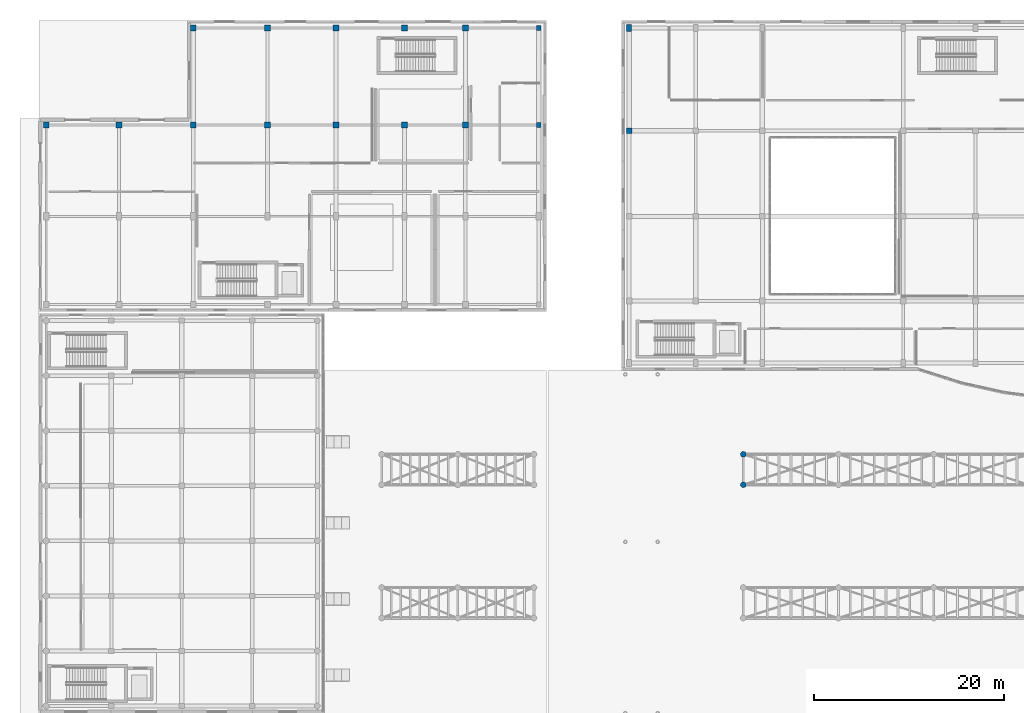
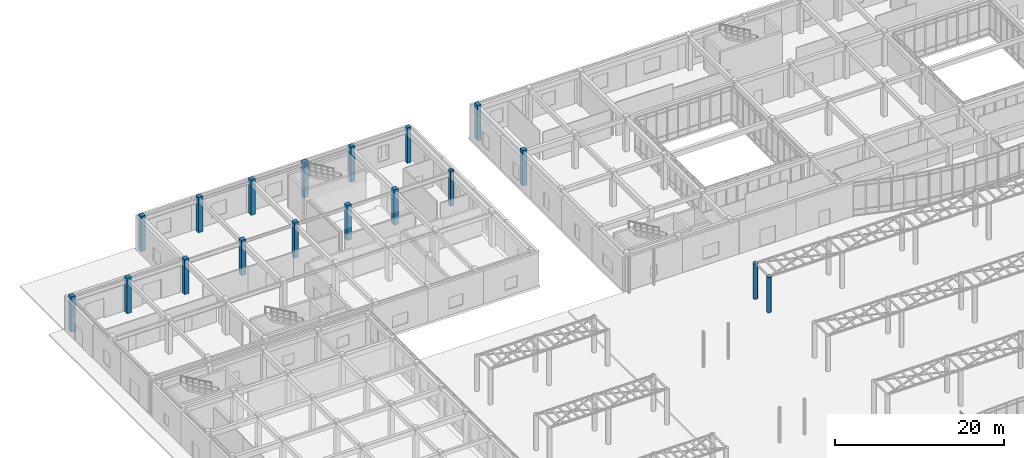
# One storey, part 12 of 121: 18 columns.
"""IFC4 building model written with IfcOpenShell, lengths in metres."""

from ifc_helpers import new_model, si_unit, direction, frame, origin, origin_2d, place, context, subcontext, project, spatial, rectangle, circle, extrude, material, material_profile, profile_set, type_object, element, save


model = new_model("IFC4")

# Units and contexts
model_context = context("Model", 3, precision=1e-05, world=origin(), true_north=direction((0.0, 1.0)))
body_context = subcontext(model_context, "Body", "Model", "MODEL_VIEW")
ifc_project = project(units=[si_unit("LENGTHUNIT", "METRE"), si_unit("AREAUNIT", "SQUARE_METRE"), si_unit("VOLUMEUNIT", "CUBIC_METRE"), si_unit("PLANEANGLEUNIT", "RADIAN"), si_unit("MASSUNIT", "GRAM", prefix="KILO")], contexts=[model_context])

# Site, building, storey
site_placement = place(None, origin())
site = spatial("IfcSite", under=ifc_project, at=site_placement, CompositionType="ELEMENT")
building_placement = place(site_placement, origin())
building = spatial("IfcBuilding", under=site, at=building_placement, Name="Valcora Specialist Clinic", CompositionType="ELEMENT")
storey_placement = place(building_placement, origin())
storey = spatial("IfcBuildingStorey", under=building, at=storey_placement, Name="L00", CompositionType="ELEMENT", Elevation=0.0)

# Columns
ifc_material = material(Name="Concrete C40/50", Category="concrete")
ifc_material_profile_1 = material_profile(ifc_material, rectangle(XDim=0.5, YDim=0.5, at=origin_2d()), Name="RC-COL-500X500")
ifc_profile_set_1 = profile_set([ifc_material_profile_1], Name="Concrete C40/50")
column_type_1 = type_object("IfcColumnType", Name="TY-COL-RC500", PredefinedType="COLUMN", material=ifc_profile_set_1)
for number, where, z_axis, x_axis, name in (
    (1, (52.5, 99.800048828125, 0.0), (0.0, 0.0, 1.0), (1.0, 0.0, 0.0), "Column COL-L00-0244"),
    (2, (52.5, 110.0, 0.0), (0.0, 0.0, 1.0), (1.0, 0.0, 0.0), "Column COL-L00-0247"),
):
    element("IfcColumn", number, at=place(storey_placement, frame(where, z_axis=z_axis, x_axis=x_axis)), inside=storey, type_object=column_type_1, Name=name, PredefinedType="COLUMN", context=body_context, shape_type="SweptSolid", body=[
        extrude(rectangle(XDim=0.5, YDim=0.5, at=origin_2d()), origin(), (0.0, 0.0, 1.0), 5.10009765625),
    ])
ifc_material_profile_2 = material_profile(ifc_material, rectangle(XDim=0.5, YDim=0.75, at=origin_2d()), Name="RC-COL-500X750")
ifc_profile_set_2 = profile_set([ifc_material_profile_2], Name="Concrete C40/50")
column_type_2 = type_object("IfcColumnType", Name="TY-COL-RC500X750", PredefinedType="COLUMN", material=ifc_profile_set_2)
column_placement = place(storey_placement, frame((62.0, 110.0, 0.0), z_axis=(0.0, 0.0, 1.0), x_axis=(1.0, 0.0, 0.0)))
element("IfcColumn", 3, at=column_placement, inside=storey, type_object=column_type_2, Name="Column COL-L00-0322", PredefinedType="COLUMN", context=body_context, shape_type="SweptSolid", body=[
    extrude(rectangle(XDim=0.5, YDim=0.75, at=origin_2d()), origin(), (0.0, 0.0, 1.0), 5.10009765625),
])
ifc_material_profile_3 = material_profile(ifc_material, rectangle(XDim=0.60009765625, YDim=0.60009765625, at=origin_2d()), Name="RC-COL-600X600")
ifc_profile_set_3 = profile_set([ifc_material_profile_3], Name="Concrete C40/50")
column_type_3 = type_object("IfcColumnType", Name="TY-COL-RC600", PredefinedType="COLUMN", material=ifc_profile_set_3)
for number, where, z_axis, x_axis, name in (
    (4, (0.75, 99.800048828125, 0.0), (0.0, 0.0, 1.0), (1.0, 0.0, 0.0), "Column COL-L00-0142"),
    (5, (8.39990234375, 99.800048828125, 0.0), (0.0, 0.0, 1.0), (1.0, 0.0, 0.0), "Column COL-L00-0154"),
    (6, (16.199951171875, 99.800048828125, 0.0), (0.0, 0.0, 1.0), (1.0, 0.0, 0.0), "Column COL-L00-0166"),
    (7, (16.199951171875, 110.0, 0.0), (0.0, 0.0, 1.0), (1.0, 0.0, 0.0), "Column COL-L00-0170"),
    (8, (24.0, 99.800048828125, 0.0), (0.0, 0.0, 1.0), (1.0, 0.0, 0.0), "Column COL-L00-0182"),
    (9, (24.0, 110.0, 0.0), (0.0, 0.0, 1.0), (1.0, 0.0, 0.0), "Column COL-L00-0186"),
    (10, (31.199951171875, 99.800048828125, 0.0), (0.0, 0.0, 1.0), (1.0, 0.0, 0.0), "Column COL-L00-0198"),
    (11, (31.199951171875, 110.0, 0.0), (0.0, 0.0, 1.0), (1.0, 0.0, 0.0), "Column COL-L00-0202"),
    (12, (38.39990234375, 99.800048828125, 0.0), (0.0, 0.0, 1.0), (1.0, 0.0, 0.0), "Column COL-L00-0214"),
    (13, (38.39990234375, 110.0, 0.0), (0.0, 0.0, 1.0), (1.0, 0.0, 0.0), "Column COL-L00-0218"),
    (14, (44.800048828125, 99.800048828125, 0.0), (0.0, 0.0, 1.0), (1.0, 0.0, 0.0), "Column COL-L00-0230"),
    (15, (44.800048828125, 110.0, 0.0), (0.0, 0.0, 1.0), (1.0, 0.0, 0.0), "Column COL-L00-0234"),
    (16, (62.0, 99.199951171875, 0.0), (0.0, 0.0, 1.0), (1.0, 0.0, 0.0), "Column COL-L00-0317"),
):
    element("IfcColumn", number, at=place(storey_placement, frame(where, z_axis=z_axis, x_axis=x_axis)), inside=storey, type_object=column_type_3, Name=name, PredefinedType="COLUMN", context=body_context, shape_type="SweptSolid", body=[
        extrude(rectangle(XDim=0.60009765625, YDim=0.60009765625, at=origin_2d()), origin(), (0.0, 0.0, 1.0), 5.10009765625),
    ])
ifc_material_profile_4 = material_profile(ifc_material, circle(Radius=0.300048828125, at=origin_2d()), Name="RC-COL-D600")
ifc_profile_set_4 = profile_set([ifc_material_profile_4], Name="Concrete C40/50")
column_type_4 = type_object("IfcColumnType", Name="TY-COL-RCD600", PredefinedType="COLUMN", material=ifc_profile_set_4)
for number, where, z_axis, x_axis, name in (
    (17, (74.0, 62.0, 0.0), (0.0, 0.0, 1.0), (1.0, 0.0, 0.0), "Column COL-L00-1123"),
    (18, (74.0, 65.199951171875, 0.0), (0.0, 0.0, 1.0), (1.0, 0.0, 0.0), "Column COL-L00-1125"),
):
    element("IfcColumn", number, at=place(storey_placement, frame(where, z_axis=z_axis, x_axis=x_axis)), inside=storey, type_object=column_type_4, Name=name, PredefinedType="COLUMN", context=body_context, shape_type="SweptSolid", body=[
        extrude(circle(Radius=0.300048828125, at=origin_2d()), origin(), (0.0, 0.0, 1.0), 5.10009765625),
    ])

save(model, "model.ifc")
